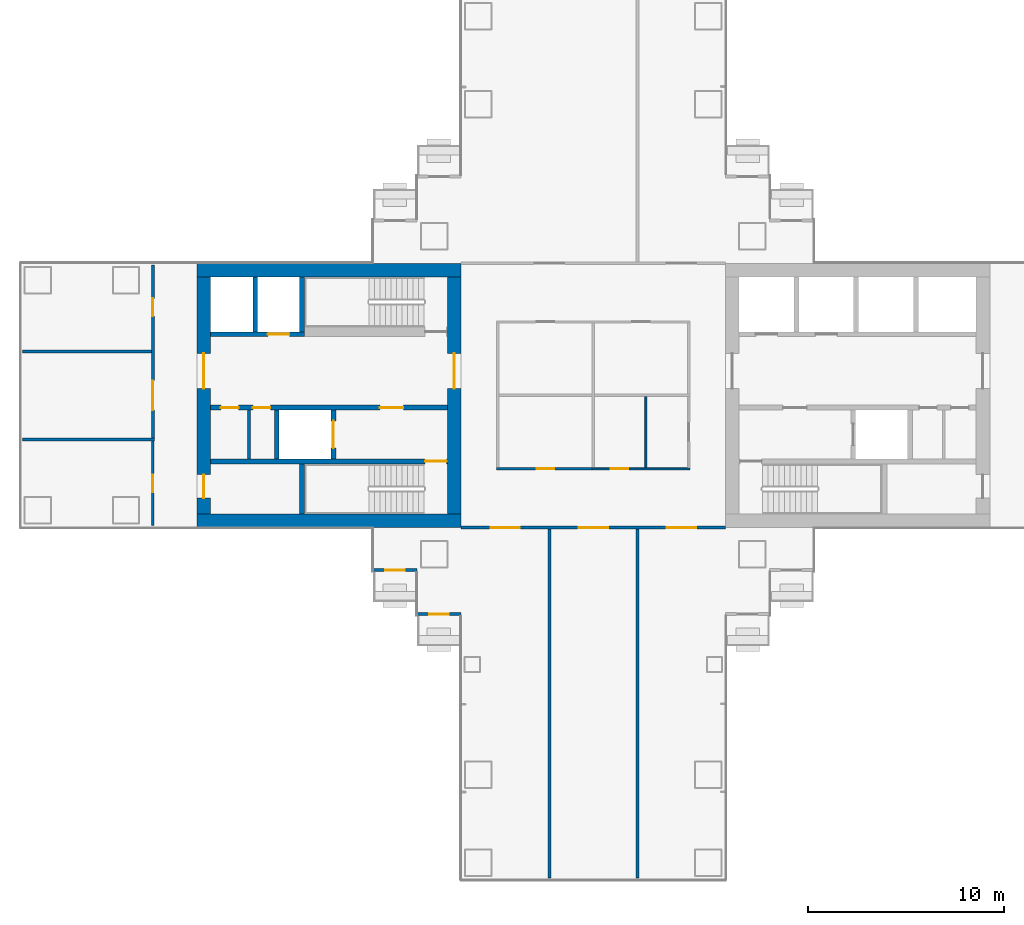
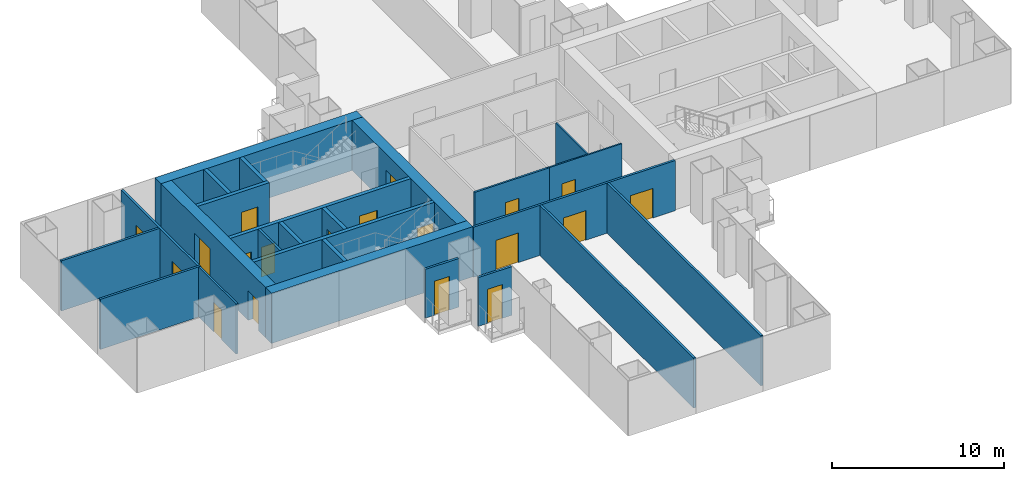
# One storey, part 13 of 21: 25 walls, 19 doors, 19 openings.
"""IFC4 building model written with IfcOpenShell, lengths in metres."""

from ifc_helpers import new_model, si_unit, direction, frame, frame_2d, origin, place, context, subcontext, project, spatial, rectangle, extrude, material, layer, layer_set, type_object, element, fill, save


model = new_model("IFC4")

# Units and contexts
model_context = context("Model", 3, precision=1e-05, world=origin(), true_north=direction((0.0, 1.0)))
body_context = subcontext(model_context, "Body", "Model", "MODEL_VIEW")
ifc_project = project(units=[si_unit("LENGTHUNIT", "METRE"), si_unit("AREAUNIT", "SQUARE_METRE"), si_unit("VOLUMEUNIT", "CUBIC_METRE"), si_unit("PLANEANGLEUNIT", "RADIAN"), si_unit("MASSUNIT", "GRAM", prefix="KILO")], contexts=[model_context])

# Site, building, storey
site_placement = place(None, origin())
site = spatial("IfcSite", under=ifc_project, at=site_placement, CompositionType="ELEMENT")
building_placement = place(site_placement, origin())
building = spatial("IfcBuilding", under=site, at=building_placement, Name="Shamsa Quay Exchange Towers", CompositionType="ELEMENT")
storey_placement = place(building_placement, frame((0.0, 0.0, 42.0)))
storey = spatial("IfcBuildingStorey", under=building, at=storey_placement, Name="L08", CompositionType="ELEMENT", Elevation=42.0)

# Wall, opening, door
ifc_material_1 = material(Name="Aluminium EN AW-6063 T6, black anodised, with black enamelled glass infill", Category="aluminium")
ifc_layer_1 = layer(ifc_material_1, 0.14990234375)
ifc_layer_set_1 = layer_set([ifc_layer_1], Name="BALCONY DOOR BAY WALL 150")
wall_type_1 = type_object("IfcWallType", Name="BALCONY DOOR BAY WALL 150", PredefinedType="SOLIDWALL", material=ifc_layer_set_1)
wall_1_placement = place(storey_placement, frame((-42.75, -8.925048828125, 0.0), z_axis=(0.0, 0.0, 1.0), x_axis=(-1.0, 0.0, 0.0)))
wall_1 = element("IfcWall", 1, at=wall_1_placement, inside=storey, type_object=wall_type_1, Name="Door bay T1-PKWS L08", PredefinedType="SOLIDWALL", context=body_context, shape_type="SweptSolid", body=[
    extrude(rectangle(XDim=2.25, YDim=0.14990234375, at=frame_2d((1.125, 0.0))), origin(), (0.0, 0.0, 1.0), 3.449951171875),
])
opening_1_placement = place(wall_1_placement, frame((0.625, 0.0, 0.0)))
opening_1 = element("IfcOpeningElement", 2, at=opening_1_placement, cuts=wall_1, Name="Opening XD047", PredefinedType="OPENING", context=body_context, shape_type="SweptSolid", body=[
    extrude(rectangle(XDim=1.0, YDim=2.39990234375, at=frame_2d((0.5, 1.199951171875))), frame((0.0, 0.0849609375, 0.0), z_axis=(0.0, -1.0, 0.0), x_axis=(1.0, 0.0, 0.0)), (0.0, 0.0, 1.0), 0.169921875),
])
ifc_material_2 = material(Name="Aluminium EN AW-6063 T6, black anodised, with laminated glass leaf", Category="aluminium")
door_type_1 = type_object("IfcDoorType", Name="BALCONY DOOR 1000x2400", OperationType="SINGLE_SWING_LEFT", PredefinedType="DOOR", material=ifc_material_2)
door_1_placement = place(opening_1_placement, origin())
door_1 = element("IfcDoor", 3, at=door_1_placement, inside=storey, type_object=door_type_1, Name="Balcony door T1-PKWS L08", OperationType="SINGLE_SWING_LEFT", OverallHeight=2.39990234375, OverallWidth=1.0, PredefinedType="DOOR", context=body_context, shape_type="SweptSolid", body=[
    extrude(rectangle(XDim=1.0, YDim=2.39990234375, at=frame_2d((0.5, 1.199951171875))), frame((0.0, 0.02490234375, 0.0), z_axis=(0.0, -1.0, 0.0), x_axis=(1.0, 0.0, 0.0)), (0.0, 0.0, 1.0), 0.050048828125),
])
fill(opening_1, door_1)

wall_2_placement = place(storey_placement, frame((-40.5, -11.175048828125, 0.0), z_axis=(0.0, 0.0, 1.0), x_axis=(-1.0, 0.0, 0.0)))
wall_2 = element("IfcWall", 4, at=wall_2_placement, inside=storey, type_object=wall_type_1, Name="Door bay T1-PKWS L08", PredefinedType="SOLIDWALL", context=body_context, shape_type="SweptSolid", body=[
    extrude(rectangle(XDim=2.25, YDim=0.14990234375, at=frame_2d((1.125, 0.0))), origin(), (0.0, 0.0, 1.0), 3.449951171875),
])
opening_2_placement = place(wall_2_placement, frame((0.625, 0.0, 0.0)))
opening_2 = element("IfcOpeningElement", 5, at=opening_2_placement, cuts=wall_2, Name="Opening XD048", PredefinedType="OPENING", context=body_context, shape_type="SweptSolid", body=[
    extrude(rectangle(XDim=1.0, YDim=2.39990234375, at=frame_2d((0.5, 1.199951171875))), frame((0.0, 0.0849609375, 0.0), z_axis=(0.0, -1.0, 0.0), x_axis=(1.0, 0.0, 0.0)), (0.0, 0.0, 1.0), 0.169921875),
])
door_2_placement = place(opening_2_placement, origin())
door_2 = element("IfcDoor", 6, at=door_2_placement, inside=storey, type_object=door_type_1, Name="Balcony door T1-PKWS L08", OperationType="SINGLE_SWING_RIGHT", OverallHeight=2.39990234375, OverallWidth=1.0, PredefinedType="DOOR", context=body_context, shape_type="SweptSolid", body=[
    extrude(rectangle(XDim=1.0, YDim=2.39990234375, at=frame_2d((0.5, 1.199951171875))), frame((0.0, 0.02490234375, 0.0), z_axis=(0.0, -1.0, 0.0), x_axis=(1.0, 0.0, 0.0)), (0.0, 0.0, 1.0), 0.050048828125),
])
fill(opening_2, door_2)

# Walls
ifc_material_3 = material(Name="Concrete C80/95", Category="concrete")
ifc_layer_2 = layer(ifc_material_3, 0.699951171875)
ifc_layer_set_2 = layer_set([ifc_layer_2], Name="CORE WALL 700 C80/95")
wall_type_2 = type_object("IfcWallType", Name="CORE WALL 700 C80/95", PredefinedType="SHEAR", material=ifc_layer_set_2)
for number, where, z_axis, x_axis, name in (
    (7, (-40.5, -6.39990234375, 0.0), (0.0, 0.0, 1.0), (-1.0, 0.0, 0.0), "Core wall T1B-R03-PS"),
    (8, (-40.5, 6.39990234375, 0.0), (0.0, 0.0, 1.0), (-1.0, 0.0, 0.0), "Core wall T1B-R03-PN"),
):
    element("IfcWall", number, at=place(storey_placement, frame(where, z_axis=z_axis, x_axis=x_axis)), inside=storey, type_object=wall_type_2, Name=name, PredefinedType="SHEAR", context=body_context, shape_type="SweptSolid", body=[
        extrude(rectangle(XDim=13.5, YDim=0.699951171875, at=frame_2d((6.75, 0.0))), origin(), (0.0, 0.0, 1.0), 3.550048828125),
    ])

# Wall, opening, door
wall_3_placement = place(storey_placement, frame((-40.85009765625, -6.050048828125, 0.0), z_axis=(0.0, 0.0, 1.0), x_axis=(0.0, 1.0, 0.0)))
wall_3 = element("IfcWall", 9, at=wall_3_placement, inside=storey, type_object=wall_type_2, Name="Core wall T1B-R03-PF", PredefinedType="SHEAR", context=body_context, shape_type="SweptSolid", body=[
    extrude(rectangle(XDim=12.10009765625, YDim=0.699951171875, at=frame_2d((6.050048828125, 0.0))), origin(), (0.0, 0.0, 1.0), 3.550048828125),
])
opening_3_placement = place(wall_3_placement, frame((6.39990234375, 0.0, 0.0)))
opening_3 = element("IfcOpeningElement", 10, at=opening_3_placement, cuts=wall_3, Name="Opening T1B-R03-LBD01", PredefinedType="OPENING", context=body_context, shape_type="SweptSolid", body=[
    extrude(rectangle(XDim=1.800048828125, YDim=2.39990234375, at=frame_2d((0.89990234375, 1.199951171875))), frame((0.0, 0.35986328125, 0.0), z_axis=(0.0, -1.0, 0.0), x_axis=(1.0, 0.0, 0.0)), (0.0, 0.0, 1.0), 0.719970703125),
])
ifc_material_4 = material(Name="Steel, fire rated", Category="steel")
door_type_2 = type_object("IfcDoorType", Name="LIFT LOBBY DOOR PAIR 1800", OperationType="DOUBLE_DOOR_SINGLE_SWING", PredefinedType="DOOR", material=ifc_material_4)
door_3_placement = place(opening_3_placement, origin())
door_3 = element("IfcDoor", 11, at=door_3_placement, inside=storey, type_object=door_type_2, Name="T1B-R03-LBD01", OperationType="DOUBLE_DOOR_SINGLE_SWING", OverallHeight=2.39990234375, OverallWidth=1.800048828125, PredefinedType="DOOR", context=body_context, shape_type="SweptSolid", body=[
    extrude(rectangle(XDim=1.800048828125, YDim=2.39990234375, at=frame_2d((0.89990234375, 1.199951171875))), frame((0.0, 0.02490234375, 0.0), z_axis=(0.0, -1.0, 0.0), x_axis=(1.0, 0.0, 0.0)), (0.0, 0.0, 1.0), 0.050048828125),
])
fill(opening_3, door_3)

# Wall, openings, doors
wall_4_placement = place(storey_placement, frame((-53.64990234375, -6.050048828125, 0.0), z_axis=(0.0, 0.0, 1.0), x_axis=(0.0, 1.0, 0.0)))
wall_4 = element("IfcWall", 12, at=wall_4_placement, inside=storey, type_object=wall_type_2, Name="Core wall T1B-R03-PB", PredefinedType="SHEAR", context=body_context, shape_type="SweptSolid", body=[
    extrude(rectangle(XDim=12.10009765625, YDim=0.699951171875, at=frame_2d((6.050048828125, 0.0))), origin(), (0.0, 0.0, 1.0), 3.550048828125),
])
opening_4_placement = place(wall_4_placement, frame((0.800048828125, 0.0, 0.0)))
opening_4 = element("IfcOpeningElement", 13, at=opening_4_placement, cuts=wall_4, Name="Opening T1B-R03-RD02", PredefinedType="OPENING", context=body_context, shape_type="SweptSolid", body=[
    extrude(rectangle(XDim=1.199951171875, YDim=2.10009765625, at=frame_2d((0.60009765625, 1.050048828125))), frame((0.0, 0.35986328125, 0.0), z_axis=(0.0, -1.0, 0.0), x_axis=(1.0, 0.0, 0.0)), (0.0, 0.0, 1.0), 0.719970703125),
])
opening_5_placement = place(wall_4_placement, frame((6.39990234375, 0.0, 0.0)))
opening_5 = element("IfcOpeningElement", 14, at=opening_5_placement, cuts=wall_4, Name="Opening T1B-R03-LBD03", PredefinedType="OPENING", context=body_context, shape_type="SweptSolid", body=[
    extrude(rectangle(XDim=1.800048828125, YDim=2.39990234375, at=frame_2d((0.89990234375, 1.199951171875))), frame((0.0, 0.35986328125, 0.0), z_axis=(0.0, -1.0, 0.0), x_axis=(1.0, 0.0, 0.0)), (0.0, 0.0, 1.0), 0.719970703125),
])
door_4_placement = place(opening_5_placement, origin())
door_4 = element("IfcDoor", 15, at=door_4_placement, inside=storey, type_object=door_type_2, Name="T1B-R03-LBD03", OperationType="DOUBLE_DOOR_SINGLE_SWING", OverallHeight=2.39990234375, OverallWidth=1.800048828125, PredefinedType="DOOR", context=body_context, shape_type="SweptSolid", body=[
    extrude(rectangle(XDim=1.800048828125, YDim=2.39990234375, at=frame_2d((0.89990234375, 1.199951171875))), frame((0.0, 0.02490234375, 0.0), z_axis=(0.0, -1.0, 0.0), x_axis=(1.0, 0.0, 0.0)), (0.0, 0.0, 1.0), 0.050048828125),
])
fill(opening_5, door_4)
door_type_3 = type_object("IfcDoorType", Name="RISER ACCESS DOOR 1200", OperationType="SINGLE_SWING_LEFT", PredefinedType="DOOR", material=ifc_material_4)
door_5_placement = place(opening_4_placement, origin())
door_5 = element("IfcDoor", 16, at=door_5_placement, inside=storey, type_object=door_type_3, Name="T1B-R03-RD02", OperationType="SINGLE_SWING_LEFT", OverallHeight=2.10009765625, OverallWidth=1.199951171875, PredefinedType="DOOR", context=body_context, shape_type="SweptSolid", body=[
    extrude(rectangle(XDim=1.199951171875, YDim=2.10009765625, at=frame_2d((0.60009765625, 1.050048828125))), frame((0.0, 0.02490234375, 0.0), z_axis=(0.0, -1.0, 0.0), x_axis=(1.0, 0.0, 0.0)), (0.0, 0.0, 1.0), 0.050048828125),
])
fill(opening_4, door_5)

# Wall
ifc_material_5 = material(Name="Gypsum board on steel studs, EI 60", Category="steel")
ifc_layer_3 = layer(ifc_material_5, 0.14990234375)
ifc_layer_set_3 = layer_set([ifc_layer_3], Name="FIRE PARTITION 150")
wall_type_3 = type_object("IfcWallType", Name="FIRE PARTITION 150", PredefinedType="PARTITIONING", material=ifc_layer_set_3)
wall_5_placement = place(storey_placement, frame((-51.35009765625, -3.25, 0.0), z_axis=(0.0, 0.0, 1.0), x_axis=(0.0, 1.0, 0.0)))
element("IfcWall", 17, at=wall_5_placement, inside=storey, type_object=wall_type_3, Name="Partition T1B-R03-EC0", PredefinedType="PARTITIONING", context=body_context, shape_type="SweptSolid", body=[
    extrude(rectangle(XDim=2.5, YDim=0.14990234375, at=frame_2d((1.25, 0.0))), origin(), (0.0, 0.0, 1.0), 3.550048828125),
])

# Wall, opening, door
ifc_material_6 = material(Name="Laminated fire-resisting glass in a metal frame", Category="glass")
ifc_layer_4 = layer(ifc_material_6, 0.125)
ifc_layer_set_4 = layer_set([ifc_layer_4], Name="Glazed partition 125 mm EI 60")
wall_type_4 = type_object("IfcWallType", Name="Glazed partition 125 mm EI 60", PredefinedType="PARTITIONING", material=ifc_layer_set_4)
wall_6_placement = place(storey_placement, frame((-38.6875, -3.75, 0.0)))
wall_6 = element("IfcWall", 18, at=wall_6_placement, inside=storey, type_object=wall_type_4, Name="Partition T1-R03-W06", PredefinedType="PARTITIONING", context=body_context, shape_type="SweptSolid", body=[
    extrude(rectangle(XDim=5.0, YDim=0.125, at=frame_2d((2.5, 0.0))), origin(), (0.0, 0.0, 1.0), 3.550048828125),
])
opening_6_placement = place(wall_6_placement, frame((2.050048828125, 0.0, 0.0)))
opening_6 = element("IfcOpeningElement", 19, at=opening_6_placement, cuts=wall_6, Name="Opening T1-R03-D06", PredefinedType="OPENING", context=body_context, shape_type="SweptSolid", body=[
    extrude(rectangle(XDim=0.89990234375, YDim=2.10009765625, at=frame_2d((0.449951171875, 1.050048828125))), frame((0.0, 0.072509765625, 0.0), z_axis=(0.0, -1.0, 0.0), x_axis=(1.0, 0.0, 0.0)), (0.0, 0.0, 1.0), 0.14501953125),
])
ifc_material_7 = material(Name="Timber door leaf in a metal frame", Category="wood")
door_type_4 = type_object("IfcDoorType", Name="Door 900x2100 FD30S", OperationType="NOTDEFINED", PredefinedType="DOOR", material=ifc_material_7)
door_6_placement = place(opening_6_placement, origin())
door_6 = element("IfcDoor", 20, at=door_6_placement, inside=storey, type_object=door_type_4, Name="Door T1-R03-D06", OperationType="SINGLE_SWING_LEFT", OverallHeight=2.10009765625, OverallWidth=0.89990234375, PredefinedType="DOOR", context=body_context, shape_type="SweptSolid", body=[
    extrude(rectangle(XDim=0.89990234375, YDim=2.10009765625, at=frame_2d((0.449951171875, 1.050048828125))), frame((0.0, 0.02490234375, 0.0), z_axis=(0.0, -1.0, 0.0), x_axis=(1.0, 0.0, 0.0)), (0.0, 0.0, 1.0), 0.050048828125),
])
fill(opening_6, door_6)

wall_7_placement = place(storey_placement, frame((-56.25, -6.655029296875, 0.0), z_axis=(0.0, 0.0, 1.0), x_axis=(0.0, 1.0, 0.0)))
wall_7 = element("IfcWall", 21, at=wall_7_placement, inside=storey, type_object=wall_type_4, Name="Partition T1-R03-W09", PredefinedType="PARTITIONING", context=body_context, shape_type="SweptSolid", body=[
    extrude(rectangle(XDim=4.330078125, YDim=0.125, at=frame_2d((2.1650390625, 0.0))), origin(), (0.0, 0.0, 1.0), 3.550048828125),
])
opening_7_placement = place(wall_7_placement, frame((1.705078125, 0.0, 0.0)))
opening_7 = element("IfcOpeningElement", 22, at=opening_7_placement, cuts=wall_7, Name="Opening T1-R03-D01", PredefinedType="OPENING", context=body_context, shape_type="SweptSolid", body=[
    extrude(rectangle(XDim=0.89990234375, YDim=2.10009765625, at=frame_2d((0.449951171875, 1.050048828125))), frame((0.0, 0.072509765625, 0.0), z_axis=(0.0, -1.0, 0.0), x_axis=(1.0, 0.0, 0.0)), (0.0, 0.0, 1.0), 0.14501953125),
])
door_7_placement = place(opening_7_placement, origin())
door_7 = element("IfcDoor", 23, at=door_7_placement, inside=storey, type_object=door_type_4, Name="Door T1-R03-D01", OperationType="SINGLE_SWING_LEFT", OverallHeight=2.10009765625, OverallWidth=0.89990234375, PredefinedType="DOOR", context=body_context, shape_type="SweptSolid", body=[
    extrude(rectangle(XDim=0.89990234375, YDim=2.10009765625, at=frame_2d((0.449951171875, 1.050048828125))), frame((0.0, 0.02490234375, 0.0), z_axis=(0.0, -1.0, 0.0), x_axis=(1.0, 0.0, 0.0)), (0.0, 0.0, 1.0), 0.050048828125),
])
fill(opening_7, door_7)

ifc_material_8 = material(Name="Gypsum board partition on metal studs")
ifc_layer_5 = layer(ifc_material_8, 0.10009765625)
ifc_layer_set_5 = layer_set([ifc_layer_5], Name="Partition 100 mm NOT RATED")
wall_type_5 = type_object("IfcWallType", Name="Partition 100 mm NOT RATED", PredefinedType="PARTITIONING", material=ifc_layer_set_5)
wall_8_placement = place(storey_placement, frame((-33.8125, -3.75, 0.0)))
wall_8 = element("IfcWall", 24, at=wall_8_placement, inside=storey, type_object=wall_type_5, Name="Partition T1-R03-W03", PredefinedType="PARTITIONING", context=body_context, shape_type="SweptSolid", body=[
    extrude(rectangle(XDim=4.987548828125, YDim=0.10009765625, at=frame_2d((2.49365234375, 0.0))), origin(), (0.0, 0.0, 1.0), 3.550048828125),
])
opening_8_placement = place(wall_8_placement, frame((0.956298828125, 0.0, 0.0)))
opening_8 = element("IfcOpeningElement", 25, at=opening_8_placement, cuts=wall_8, Name="Opening T1-R03-D07", PredefinedType="OPENING", context=body_context, shape_type="SweptSolid", body=[
    extrude(rectangle(XDim=0.89990234375, YDim=2.10009765625, at=frame_2d((0.449951171875, 1.050048828125))), frame((0.0, 0.06005859375, 0.0), z_axis=(0.0, -1.0, 0.0), x_axis=(1.0, 0.0, 0.0)), (0.0, 0.0, 1.0), 0.1201171875),
])
door_type_5 = type_object("IfcDoorType", Name="Door 900x2100 NOT RATED", OperationType="NOTDEFINED", PredefinedType="DOOR", material=ifc_material_7)
door_8_placement = place(opening_8_placement, origin())
door_8 = element("IfcDoor", 26, at=door_8_placement, inside=storey, type_object=door_type_5, Name="Door T1-R03-D07", OperationType="SINGLE_SWING_LEFT", OverallHeight=2.10009765625, OverallWidth=0.89990234375, PredefinedType="DOOR", context=body_context, shape_type="SweptSolid", body=[
    extrude(rectangle(XDim=0.89990234375, YDim=2.10009765625, at=frame_2d((0.449951171875, 1.050048828125))), frame((0.0, 0.02490234375, 0.0), z_axis=(0.0, -1.0, 0.0), x_axis=(1.0, 0.0, 0.0)), (0.0, 0.0, 1.0), 0.050048828125),
])
fill(opening_8, door_8)

# Wall
wall_9_placement = place(storey_placement, frame((-31.0625, -3.699951171875, 0.0), z_axis=(0.0, 0.0, 1.0), x_axis=(0.0, 1.0, 0.0)))
element("IfcWall", 27, at=wall_9_placement, inside=storey, type_object=wall_type_5, Name="Partition T1-R03-W13", PredefinedType="PARTITIONING", context=body_context, shape_type="SweptSolid", body=[
    extrude(rectangle(XDim=3.637451171875, YDim=0.10009765625, at=frame_2d((1.81884765625, 0.0))), origin(), (0.0, 0.0, 1.0), 3.550048828125),
])

# Wall, openings, doors
ifc_layer_6 = layer(ifc_material_8, 0.14990234375)
ifc_layer_set_6 = layer_set([ifc_layer_6], Name="Partition 150 mm EI 60")
wall_type_6 = type_object("IfcWallType", Name="Partition 150 mm EI 60", PredefinedType="PARTITIONING", material=ifc_layer_set_6)
wall_10_placement = place(storey_placement, frame((-27.0, -6.75, 0.0), z_axis=(0.0, 0.0, 1.0), x_axis=(-1.0, 0.0, 0.0)))
wall_10 = element("IfcWall", 28, at=wall_10_placement, inside=storey, type_object=wall_type_6, Name="Partition T1-R03-W08", PredefinedType="PARTITIONING", context=body_context, shape_type="SweptSolid", body=[
    extrude(rectangle(XDim=13.5, YDim=0.14990234375, at=frame_2d((6.75, 0.0))), origin(), (0.0, 0.0, 1.0), 3.550048828125),
])
opening_9_placement = place(wall_10_placement, frame((1.5, 0.0, 0.0)))
opening_9 = element("IfcOpeningElement", 29, at=opening_9_placement, cuts=wall_10, Name="Opening T1-R03-D11", PredefinedType="OPENING", context=body_context, shape_type="SweptSolid", body=[
    extrude(rectangle(XDim=1.5, YDim=2.10009765625, at=frame_2d((0.75, 1.050048828125))), frame((0.0, 0.0849609375, 0.0), z_axis=(0.0, -1.0, 0.0), x_axis=(1.0, 0.0, 0.0)), (0.0, 0.0, 1.0), 0.169921875),
])
opening_10_placement = place(wall_10_placement, frame((6.0, 0.0, 0.0)))
opening_10 = element("IfcOpeningElement", 30, at=opening_10_placement, cuts=wall_10, Name="Opening T1-R03-D12", PredefinedType="OPENING", context=body_context, shape_type="SweptSolid", body=[
    extrude(rectangle(XDim=1.5, YDim=2.10009765625, at=frame_2d((0.75, 1.050048828125))), frame((0.0, 0.0849609375, 0.0), z_axis=(0.0, -1.0, 0.0), x_axis=(1.0, 0.0, 0.0)), (0.0, 0.0, 1.0), 0.169921875),
])
opening_11_placement = place(wall_10_placement, frame((10.5, 0.0, 0.0)))
opening_11 = element("IfcOpeningElement", 31, at=opening_11_placement, cuts=wall_10, Name="Opening T1-R03-D13", PredefinedType="OPENING", context=body_context, shape_type="SweptSolid", body=[
    extrude(rectangle(XDim=1.5, YDim=2.10009765625, at=frame_2d((0.75, 1.050048828125))), frame((0.0, 0.0849609375, 0.0), z_axis=(0.0, -1.0, 0.0), x_axis=(1.0, 0.0, 0.0)), (0.0, 0.0, 1.0), 0.169921875),
])
door_type_6 = type_object("IfcDoorType", Name="Door 1500x2100 FD30S pair", OperationType="NOTDEFINED", PredefinedType="DOOR", material=ifc_material_7)
door_9_placement = place(opening_9_placement, origin())
door_9 = element("IfcDoor", 32, at=door_9_placement, inside=storey, type_object=door_type_6, Name="Door T1-R03-D11", OperationType="DOUBLE_DOOR_SINGLE_SWING", OverallHeight=2.10009765625, OverallWidth=1.5, PredefinedType="DOOR", context=body_context, shape_type="SweptSolid", body=[
    extrude(rectangle(XDim=1.5, YDim=2.10009765625, at=frame_2d((0.75, 1.050048828125))), frame((0.0, 0.02490234375, 0.0), z_axis=(0.0, -1.0, 0.0), x_axis=(1.0, 0.0, 0.0)), (0.0, 0.0, 1.0), 0.050048828125),
])
fill(opening_9, door_9)
door_10_placement = place(opening_10_placement, origin())
door_10 = element("IfcDoor", 33, at=door_10_placement, inside=storey, type_object=door_type_6, Name="Door T1-R03-D12", OperationType="DOUBLE_DOOR_SINGLE_SWING", OverallHeight=2.10009765625, OverallWidth=1.5, PredefinedType="DOOR", context=body_context, shape_type="SweptSolid", body=[
    extrude(rectangle(XDim=1.5, YDim=2.10009765625, at=frame_2d((0.75, 1.050048828125))), frame((0.0, 0.02490234375, 0.0), z_axis=(0.0, -1.0, 0.0), x_axis=(1.0, 0.0, 0.0)), (0.0, 0.0, 1.0), 0.050048828125),
])
fill(opening_10, door_10)
door_11_placement = place(opening_11_placement, origin())
door_11 = element("IfcDoor", 34, at=door_11_placement, inside=storey, type_object=door_type_6, Name="Door T1-R03-D13", OperationType="DOUBLE_DOOR_SINGLE_SWING", OverallHeight=2.10009765625, OverallWidth=1.5, PredefinedType="DOOR", context=body_context, shape_type="SweptSolid", body=[
    extrude(rectangle(XDim=1.5, YDim=2.10009765625, at=frame_2d((0.75, 1.050048828125))), frame((0.0, 0.02490234375, 0.0), z_axis=(0.0, -1.0, 0.0), x_axis=(1.0, 0.0, 0.0)), (0.0, 0.0, 1.0), 0.050048828125),
])
fill(opening_11, door_11)

wall_11_placement = place(storey_placement, frame((-56.25, -2.175048828125, 0.0), z_axis=(0.0, 0.0, 1.0), x_axis=(0.0, 1.0, 0.0)))
wall_11 = element("IfcWall", 35, at=wall_11_placement, inside=storey, type_object=wall_type_6, Name="Partition T1-R03-W10", PredefinedType="PARTITIONING", context=body_context, shape_type="SweptSolid", body=[
    extrude(rectangle(XDim=8.830078125, YDim=0.14990234375, at=frame_2d((4.4150390625, 0.0))), origin(), (0.0, 0.0, 1.0), 3.550048828125),
])
opening_12_placement = place(wall_11_placement, frame((1.425048828125, 0.0, 0.0)))
opening_12 = element("IfcOpeningElement", 36, at=opening_12_placement, cuts=wall_11, Name="Opening T1-R03-D02", PredefinedType="OPENING", context=body_context, shape_type="SweptSolid", body=[
    extrude(rectangle(XDim=1.5, YDim=2.10009765625, at=frame_2d((0.75, 1.050048828125))), frame((0.0, 0.0849609375, 0.0), z_axis=(0.0, -1.0, 0.0), x_axis=(1.0, 0.0, 0.0)), (0.0, 0.0, 1.0), 0.169921875),
])
opening_13_placement = place(wall_11_placement, frame((6.22509765625, 0.0, 0.0)))
opening_13 = element("IfcOpeningElement", 37, at=opening_13_placement, cuts=wall_11, Name="Opening T1-R03-D03", PredefinedType="OPENING", context=body_context, shape_type="SweptSolid", body=[
    extrude(rectangle(XDim=0.89990234375, YDim=2.10009765625, at=frame_2d((0.449951171875, 1.050048828125))), frame((0.0, 0.0849609375, 0.0), z_axis=(0.0, -1.0, 0.0), x_axis=(1.0, 0.0, 0.0)), (0.0, 0.0, 1.0), 0.169921875),
])
door_12_placement = place(opening_12_placement, origin())
door_12 = element("IfcDoor", 38, at=door_12_placement, inside=storey, type_object=door_type_6, Name="Door T1-R03-D02", OperationType="DOUBLE_DOOR_SINGLE_SWING", OverallHeight=2.10009765625, OverallWidth=1.5, PredefinedType="DOOR", context=body_context, shape_type="SweptSolid", body=[
    extrude(rectangle(XDim=1.5, YDim=2.10009765625, at=frame_2d((0.75, 1.050048828125))), frame((0.0, 0.02490234375, 0.0), z_axis=(0.0, -1.0, 0.0), x_axis=(1.0, 0.0, 0.0)), (0.0, 0.0, 1.0), 0.050048828125),
])
fill(opening_12, door_12)
door_13_placement = place(opening_13_placement, origin())
door_13 = element("IfcDoor", 39, at=door_13_placement, inside=storey, type_object=door_type_4, Name="Door T1-R03-D03", OperationType="SINGLE_SWING_LEFT", OverallHeight=2.10009765625, OverallWidth=0.89990234375, PredefinedType="DOOR", context=body_context, shape_type="SweptSolid", body=[
    extrude(rectangle(XDim=0.89990234375, YDim=2.10009765625, at=frame_2d((0.449951171875, 1.050048828125))), frame((0.0, 0.02490234375, 0.0), z_axis=(0.0, -1.0, 0.0), x_axis=(1.0, 0.0, 0.0)), (0.0, 0.0, 1.0), 0.050048828125),
])
fill(opening_13, door_13)

# Walls
for number, where, z_axis, x_axis, name in (
    (40, (-31.5, -24.655029296875, 0.0), (0.0, 0.0, 1.0), (0.0, 1.0, 0.0), "Partition T1-R03-W14"),
    (41, (-36.0, -24.655029296875, 0.0), (0.0, 0.0, 1.0), (0.0, 1.0, 0.0), "Partition T1-R03-W16"),
):
    element("IfcWall", number, at=place(storey_placement, frame(where, z_axis=z_axis, x_axis=x_axis)), inside=storey, type_object=wall_type_6, Name=name, PredefinedType="PARTITIONING", context=body_context, shape_type="SweptSolid", body=[
        extrude(rectangle(XDim=17.830078125, YDim=0.14990234375, at=frame_2d((8.9150390625, 0.0))), origin(), (0.0, 0.0, 1.0), 3.550048828125),
    ])
wall_12_placement = place(storey_placement, frame((-56.175048828125, -2.25, 0.0), z_axis=(0.0, 0.0, 1.0), x_axis=(-1.0, 0.0, 0.0)))
element("IfcWall", 42, at=wall_12_placement, inside=storey, type_object=wall_type_6, Name="Partition T1-R03-W17", PredefinedType="PARTITIONING", context=body_context, shape_type="SweptSolid", body=[
    extrude(rectangle(XDim=6.72998046875, YDim=0.14990234375, at=frame_2d((3.364990234375, 0.0))), origin(), (0.0, 0.0, 1.0), 3.550048828125),
])
wall_13_placement = place(storey_placement, frame((-56.324951171875, 2.25, 0.0), z_axis=(0.0, 0.0, 1.0), x_axis=(-1.0, 0.0, 0.0)))
element("IfcWall", 43, at=wall_13_placement, inside=storey, type_object=wall_type_6, Name="Partition T1-R03-W18", PredefinedType="PARTITIONING", context=body_context, shape_type="SweptSolid", body=[
    extrude(rectangle(XDim=6.580078125, YDim=0.14990234375, at=frame_2d((3.2900390625, 0.0))), origin(), (0.0, 0.0, 1.0), 3.550048828125),
])

# Wall, opening, door
ifc_material_9 = material(Name="Concrete C50/60", Category="concrete")
ifc_layer_7 = layer(ifc_material_9, 0.25)
ifc_layer_set_7 = layer_set([ifc_layer_7], Name="SHAFT WALL 250 C50/60")
wall_type_7 = type_object("IfcWallType", Name="SHAFT WALL 250 C50/60", PredefinedType="SHEAR", material=ifc_layer_set_7)
wall_14_placement = place(storey_placement, frame((-41.199951171875, -3.375, 0.0), z_axis=(0.0, 0.0, 1.0), x_axis=(-1.0, 0.0, 0.0)))
wall_14 = element("IfcWall", 44, at=wall_14_placement, inside=storey, type_object=wall_type_7, Name="Shaft wall T1B-R03-STL", PredefinedType="SHEAR", context=body_context, shape_type="SweptSolid", body=[
    extrude(rectangle(XDim=12.10009765625, YDim=0.25, at=frame_2d((6.050048828125, 0.0))), origin(), (0.0, 0.0, 1.0), 3.550048828125),
])
opening_14_placement = place(wall_14_placement, frame((0.050048828125, 0.0, 0.0)))
opening_14 = element("IfcOpeningElement", 45, at=opening_14_placement, cuts=wall_14, Name="Opening T1B-R03-SD04", PredefinedType="OPENING", context=body_context, shape_type="SweptSolid", body=[
    extrude(rectangle(XDim=1.10009765625, YDim=2.10009765625, at=frame_2d((0.550048828125, 1.050048828125))), frame((0.0, 0.135009765625, 0.0), z_axis=(0.0, -1.0, 0.0), x_axis=(1.0, 0.0, 0.0)), (0.0, 0.0, 1.0), 0.27001953125),
])
door_type_7 = type_object("IfcDoorType", Name="STAIR DOOR 1100", OperationType="SINGLE_SWING_LEFT", PredefinedType="DOOR", material=ifc_material_4)
door_14_placement = place(opening_14_placement, origin())
door_14 = element("IfcDoor", 46, at=door_14_placement, inside=storey, type_object=door_type_7, Name="T1B-R03-SD04", OperationType="SINGLE_SWING_LEFT", OverallHeight=2.10009765625, OverallWidth=1.10009765625, PredefinedType="DOOR", context=body_context, shape_type="SweptSolid", body=[
    extrude(rectangle(XDim=1.10009765625, YDim=2.10009765625, at=frame_2d((0.550048828125, 1.050048828125))), frame((0.0, 0.02490234375, 0.0), z_axis=(0.0, -1.0, 0.0), x_axis=(1.0, 0.0, 0.0)), (0.0, 0.0, 1.0), 0.050048828125),
])
fill(opening_14, door_14)

# Wall
wall_15_placement = place(storey_placement, frame((-48.625, -6.050048828125, 0.0), z_axis=(0.0, 0.0, 1.0), x_axis=(0.0, 1.0, 0.0)))
element("IfcWall", 47, at=wall_15_placement, inside=storey, type_object=wall_type_7, Name="Shaft wall T1B-R03-STF", PredefinedType="SHEAR", context=body_context, shape_type="SweptSolid", body=[
    extrude(rectangle(XDim=2.550048828125, YDim=0.25, at=frame_2d((1.27490234375, 0.0))), origin(), (0.0, 0.0, 1.0), 3.550048828125),
])

# Wall, openings, doors
wall_16_placement = place(storey_placement, frame((-41.199951171875, -0.625, 0.0), z_axis=(0.0, 0.0, 1.0), x_axis=(-1.0, 0.0, 0.0)))
wall_16 = element("IfcWall", 48, at=wall_16_placement, inside=storey, type_object=wall_type_7, Name="Shaft wall T1B-R03-B", PredefinedType="SHEAR", context=body_context, shape_type="SweptSolid", body=[
    extrude(rectangle(XDim=12.10009765625, YDim=0.25, at=frame_2d((6.050048828125, 0.0))), origin(), (0.0, 0.0, 1.0), 3.550048828125),
])
opening_15_placement = place(wall_16_placement, frame((2.25, 0.0, 0.0)))
opening_15 = element("IfcOpeningElement", 49, at=opening_15_placement, cuts=wall_16, Name="Opening T1B-R03-FD05", PredefinedType="OPENING", context=body_context, shape_type="SweptSolid", body=[
    extrude(rectangle(XDim=1.199951171875, YDim=2.10009765625, at=frame_2d((0.60009765625, 1.050048828125))), frame((0.0, 0.135009765625, 0.0), z_axis=(0.0, -1.0, 0.0), x_axis=(1.0, 0.0, 0.0)), (0.0, 0.0, 1.0), 0.27001953125),
])
opening_16_placement = place(wall_16_placement, frame((9.050048828125, 0.0, 0.0)))
opening_16 = element("IfcOpeningElement", 50, at=opening_16_placement, cuts=wall_16, Name="Opening T1B-R03-SV06", PredefinedType="OPENING", context=body_context, shape_type="SweptSolid", body=[
    extrude(rectangle(XDim=0.89990234375, YDim=2.10009765625, at=frame_2d((0.449951171875, 1.050048828125))), frame((0.0, 0.135009765625, 0.0), z_axis=(0.0, -1.0, 0.0), x_axis=(1.0, 0.0, 0.0)), (0.0, 0.0, 1.0), 0.27001953125),
])
opening_17_placement = place(wall_16_placement, frame((10.675048828125, 0.0, 0.0)))
opening_17 = element("IfcOpeningElement", 51, at=opening_17_placement, cuts=wall_16, Name="Opening T1B-R03-SV07", PredefinedType="OPENING", context=body_context, shape_type="SweptSolid", body=[
    extrude(rectangle(XDim=0.89990234375, YDim=2.10009765625, at=frame_2d((0.449951171875, 1.050048828125))), frame((0.0, 0.135009765625, 0.0), z_axis=(0.0, -1.0, 0.0), x_axis=(1.0, 0.0, 0.0)), (0.0, 0.0, 1.0), 0.27001953125),
])
door_type_8 = type_object("IfcDoorType", Name="FIRE SERVICE LOBBY DOOR 1200", OperationType="SINGLE_SWING_LEFT", PredefinedType="DOOR", material=ifc_material_4)
door_15_placement = place(opening_15_placement, origin())
door_15 = element("IfcDoor", 52, at=door_15_placement, inside=storey, type_object=door_type_8, Name="T1B-R03-FD05", OperationType="SINGLE_SWING_LEFT", OverallHeight=2.10009765625, OverallWidth=1.199951171875, PredefinedType="DOOR", context=body_context, shape_type="SweptSolid", body=[
    extrude(rectangle(XDim=1.199951171875, YDim=2.10009765625, at=frame_2d((0.60009765625, 1.050048828125))), frame((0.0, 0.02490234375, 0.0), z_axis=(0.0, -1.0, 0.0), x_axis=(1.0, 0.0, 0.0)), (0.0, 0.0, 1.0), 0.050048828125),
])
fill(opening_15, door_15)
door_type_9 = type_object("IfcDoorType", Name="SERVICE ROOM DOOR 900", OperationType="SINGLE_SWING_LEFT", PredefinedType="DOOR", material=ifc_material_4)
door_16_placement = place(opening_16_placement, origin())
door_16 = element("IfcDoor", 53, at=door_16_placement, inside=storey, type_object=door_type_9, Name="T1B-R03-SV06", OperationType="SINGLE_SWING_RIGHT", OverallHeight=2.10009765625, OverallWidth=0.89990234375, PredefinedType="DOOR", context=body_context, shape_type="SweptSolid", body=[
    extrude(rectangle(XDim=0.89990234375, YDim=2.10009765625, at=frame_2d((0.449951171875, 1.050048828125))), frame((0.0, 0.02490234375, 0.0), z_axis=(0.0, -1.0, 0.0), x_axis=(1.0, 0.0, 0.0)), (0.0, 0.0, 1.0), 0.050048828125),
])
fill(opening_16, door_16)
door_17_placement = place(opening_17_placement, origin())
door_17 = element("IfcDoor", 54, at=door_17_placement, inside=storey, type_object=door_type_9, Name="T1B-R03-SV07", OperationType="SINGLE_SWING_RIGHT", OverallHeight=2.10009765625, OverallWidth=0.89990234375, PredefinedType="DOOR", context=body_context, shape_type="SweptSolid", body=[
    extrude(rectangle(XDim=0.89990234375, YDim=2.10009765625, at=frame_2d((0.449951171875, 1.050048828125))), frame((0.0, 0.02490234375, 0.0), z_axis=(0.0, -1.0, 0.0), x_axis=(1.0, 0.0, 0.0)), (0.0, 0.0, 1.0), 0.050048828125),
])
fill(opening_17, door_17)

# Wall, opening, door
wall_17_placement = place(storey_placement, frame((-47.02490234375, -3.25, 0.0), z_axis=(0.0, 0.0, 1.0), x_axis=(0.0, 1.0, 0.0)))
wall_17 = element("IfcWall", 55, at=wall_17_placement, inside=storey, type_object=wall_type_7, Name="Shaft wall T1B-R03-FFF", PredefinedType="SHEAR", context=body_context, shape_type="SweptSolid", body=[
    extrude(rectangle(XDim=2.5, YDim=0.25, at=frame_2d((1.25, 0.0))), origin(), (0.0, 0.0, 1.0), 3.550048828125),
])
opening_18_placement = place(wall_17_placement, frame((0.550048828125, 0.0, 0.0)))
opening_18 = element("IfcOpeningElement", 56, at=opening_18_placement, cuts=wall_17, Name="Opening T1B-R03-LDG08", PredefinedType="OPENING", context=body_context, shape_type="SweptSolid", body=[
    extrude(rectangle(XDim=1.39990234375, YDim=2.39990234375, at=frame_2d((0.699951171875, 1.199951171875))), frame((0.0, 0.135009765625, 0.0), z_axis=(0.0, -1.0, 0.0), x_axis=(1.0, 0.0, 0.0)), (0.0, 0.0, 1.0), 0.27001953125),
])
door_type_10 = type_object("IfcDoorType", Name="GOODS LIFT LANDING DOOR 1400", OperationType="SLIDING_TO_LEFT", PredefinedType="DOOR", material=ifc_material_4)
door_18_placement = place(opening_18_placement, origin())
door_18 = element("IfcDoor", 57, at=door_18_placement, inside=storey, type_object=door_type_10, Name="T1B-R03-LDG08", OperationType="SLIDING_TO_LEFT", OverallHeight=2.39990234375, OverallWidth=1.39990234375, PredefinedType="DOOR", context=body_context, shape_type="SweptSolid", body=[
    extrude(rectangle(XDim=1.39990234375, YDim=2.39990234375, at=frame_2d((0.699951171875, 1.199951171875))), frame((0.0, 0.02490234375, 0.0), z_axis=(0.0, -1.0, 0.0), x_axis=(1.0, 0.0, 0.0)), (0.0, 0.0, 1.0), 0.050048828125),
])
fill(opening_18, door_18)

# Wall
wall_18_placement = place(storey_placement, frame((-49.925048828125, -3.25, 0.0), z_axis=(0.0, 0.0, 1.0), x_axis=(0.0, 1.0, 0.0)))
element("IfcWall", 58, at=wall_18_placement, inside=storey, type_object=wall_type_7, Name="Shaft wall T1B-R03-FFB", PredefinedType="SHEAR", context=body_context, shape_type="SweptSolid", body=[
    extrude(rectangle(XDim=2.5, YDim=0.25, at=frame_2d((1.25, 0.0))), origin(), (0.0, 0.0, 1.0), 3.550048828125),
])

# Wall, opening, door
wall_19_placement = place(storey_placement, frame((-48.5, 3.125, 0.0), z_axis=(0.0, 0.0, 1.0), x_axis=(-1.0, 0.0, 0.0)))
wall_19 = element("IfcWall", 59, at=wall_19_placement, inside=storey, type_object=wall_type_7, Name="Shaft wall T1B-R03-N2", PredefinedType="SHEAR", context=body_context, shape_type="SweptSolid", body=[
    extrude(rectangle(XDim=4.800048828125, YDim=0.25, at=frame_2d((2.39990234375, 0.0))), origin(), (0.0, 0.0, 1.0), 3.550048828125),
])
opening_19_placement = place(wall_19_placement, frame((0.77490234375, 0.0, 0.0)))
opening_19 = element("IfcOpeningElement", 60, at=opening_19_placement, cuts=wall_19, Name="Opening T1B-R03-LD10", PredefinedType="OPENING", context=body_context, shape_type="SweptSolid", body=[
    extrude(rectangle(XDim=1.10009765625, YDim=2.10009765625, at=frame_2d((0.550048828125, 1.050048828125))), frame((0.0, 0.135009765625, 0.0), z_axis=(0.0, -1.0, 0.0), x_axis=(1.0, 0.0, 0.0)), (0.0, 0.0, 1.0), 0.27001953125),
])
door_type_11 = type_object("IfcDoorType", Name="LANDING DOOR 1100", OperationType="SLIDING_TO_LEFT", PredefinedType="DOOR", material=ifc_material_4)
door_19_placement = place(opening_19_placement, origin())
door_19 = element("IfcDoor", 61, at=door_19_placement, inside=storey, type_object=door_type_11, Name="T1B-R03-LD10", OperationType="SLIDING_TO_LEFT", OverallHeight=2.10009765625, OverallWidth=1.10009765625, PredefinedType="DOOR", context=body_context, shape_type="SweptSolid", body=[
    extrude(rectangle(XDim=1.10009765625, YDim=2.10009765625, at=frame_2d((0.550048828125, 1.050048828125))), frame((0.0, 0.02490234375, 0.0), z_axis=(0.0, -1.0, 0.0), x_axis=(1.0, 0.0, 0.0)), (0.0, 0.0, 1.0), 0.050048828125),
])
fill(opening_19, door_19)

# Walls
for number, where, z_axis, x_axis, name in (
    (62, (-48.625, 3.25, 0.0), (0.0, 0.0, 1.0), (0.0, 1.0, 0.0), "Shaft wall T1B-R03-STF2"),
    (63, (-51.02490234375, 3.25, 0.0), (0.0, 0.0, 1.0), (0.0, 1.0, 0.0), "Shaft wall T1B-R03-D0"),
):
    element("IfcWall", number, at=place(storey_placement, frame(where, z_axis=z_axis, x_axis=x_axis)), inside=storey, type_object=wall_type_7, Name=name, PredefinedType="SHEAR", context=body_context, shape_type="SweptSolid", body=[
        extrude(rectangle(XDim=2.800048828125, YDim=0.25, at=frame_2d((1.39990234375, 0.0))), origin(), (0.0, 0.0, 1.0), 3.550048828125),
    ])

save(model, "model.ifc")
